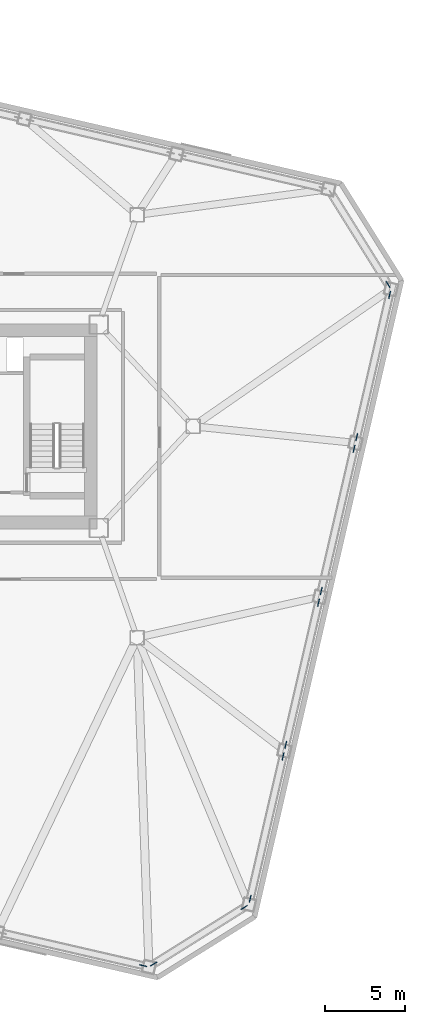
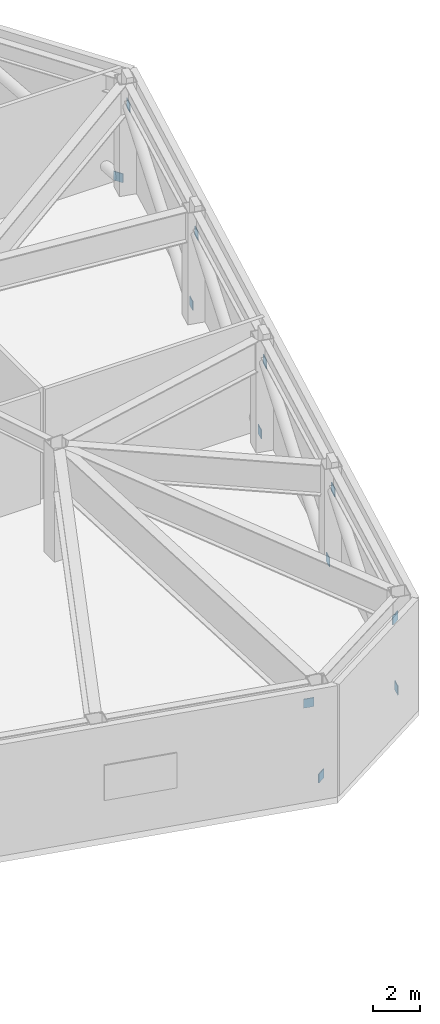
# One storey, part 13 of 15: 12 discrete accessories.
"""IFC4 building model written with IfcOpenShell, lengths in metres."""

from ifc_helpers import new_model, si_unit, direction, frame, origin, origin_2d, place, context, subcontext, project, spatial, rectangle, extrude, material, type_object, element, save


model = new_model("IFC4")

# Units and contexts
model_context = context("Model", 3, precision=1e-05, world=origin(), true_north=direction((0.0, 1.0)))
body_context = subcontext(model_context, "Body", "Model", "MODEL_VIEW")
ifc_project = project(units=[si_unit("LENGTHUNIT", "METRE"), si_unit("AREAUNIT", "SQUARE_METRE"), si_unit("VOLUMEUNIT", "CUBIC_METRE"), si_unit("PLANEANGLEUNIT", "RADIAN"), si_unit("MASSUNIT", "GRAM", prefix="KILO")], contexts=[model_context])

# Site, building, storey
site_placement = place(None, origin())
site = spatial("IfcSite", under=ifc_project, at=site_placement, CompositionType="ELEMENT")
building_placement = place(site_placement, origin())
building = spatial("IfcBuilding", under=site, at=building_placement, Name="Tavrogorsk Clinical Tower", CompositionType="ELEMENT")
storey_placement = place(building_placement, frame((0.0, 0.0, 33.39990234375)))
storey = spatial("IfcBuildingStorey", under=building, at=storey_placement, Name="L06", CompositionType="ELEMENT", Elevation=33.39990234375)

# Discrete accessories
ifc_material = material(Name="Structural steel S440", Category="steel")
discrete_accessory_type = type_object("IfcDiscreteAccessoryType", Name="GussetPlateBracket_25", PredefinedType="BRACKET", material=ifc_material)
for number, where, z_axis, x_axis, name in (
    (1, (24.8779296875, -33.673095703125, 4.39111328125), (0.0, 0.0, 1.0), (0.974370064785, -0.224951054344, 0.0), "L06 Brace Gusset Plate EXOBELT-L06-07-B"),
    (2, (25.535888671875, -33.571533203125, 0.3310546875), (0.0, 0.0, 1.0), (0.848048096156, 0.529919264233, 0.0), "L06 Brace Gusset Plate EXOBELT-L06-08-A"),
    (3, (31.179931640625, -30.044677734375, 4.34912109375), (0.0, 0.0, 1.0), (0.848048096156, 0.529919264233, 0.0), "L06 Brace Gusset Plate EXOBELT-L06-08-B"),
    (4, (31.559814453125, -29.497314453125, 0.28759765625), (0.0, 0.0, 1.0), (0.224951054344, 0.974370064785, 0.0), "L06 Brace Gusset Plate EXOBELT-L06-09-A"),
    (5, (33.610595703125, -20.614990234375, 4.392578125), (0.0, 0.0, 1.0), (0.224951054344, 0.974370064785, 0.0), "L06 Brace Gusset Plate EXOBELT-L06-09-B"),
    (6, (33.77783203125, -19.889892578125, 0.28759765625), (0.0, 0.0, 1.0), (0.224951054344, 0.974370064785, 0.0), "L06 Brace Gusset Plate EXOBELT-L06-10-A"),
    (7, (35.82861328125, -11.007568359375, 4.392578125), (0.0, 0.0, 1.0), (0.224951054344, 0.974370064785, 0.0), "L06 Brace Gusset Plate EXOBELT-L06-10-B"),
    (8, (35.995849609375, -10.28271484375, 0.28759765625), (0.0, 0.0, 1.0), (0.224951054344, 0.974370064785, 0.0), "L06 Brace Gusset Plate EXOBELT-L06-11-A"),
    (9, (38.046630859375, -1.400390625, 4.392578125), (0.0, 0.0, 1.0), (0.224951054344, 0.974370064785, 0.0), "L06 Brace Gusset Plate EXOBELT-L06-11-B"),
    (10, (38.2138671875, -0.67529296875, 0.28759765625), (0.0, 0.0, 1.0), (0.224951054344, 0.974370064785, 0.0), "L06 Brace Gusset Plate EXOBELT-L06-12-A"),
    (11, (40.2646484375, 8.20703125, 4.392578125), (0.0, 0.0, 1.0), (0.224951054344, 0.974370064785, 0.0), "L06 Brace Gusset Plate EXOBELT-L06-12-B"),
    (12, (40.163330078125, 8.86572265625, 0.3310546875), (0.0, 0.0, 1.0), (-0.529919264233, 0.848048096156, 0.0), "L06 Brace Gusset Plate EXOBELT-L06-13-A"),
):
    element("IfcDiscreteAccessory", number, at=place(storey_placement, frame(where, z_axis=z_axis, x_axis=x_axis)), inside=storey, type_object=discrete_accessory_type, Name=name, PredefinedType="BRACKET", context=body_context, shape_type="SweptSolid", body=[
        extrude(rectangle(XDim=0.4599609375, YDim=0.0400390625, at=origin_2d()), origin(), (0.0, 0.0, 1.0), 0.4599609375),
    ])

save(model, "model.ifc")
